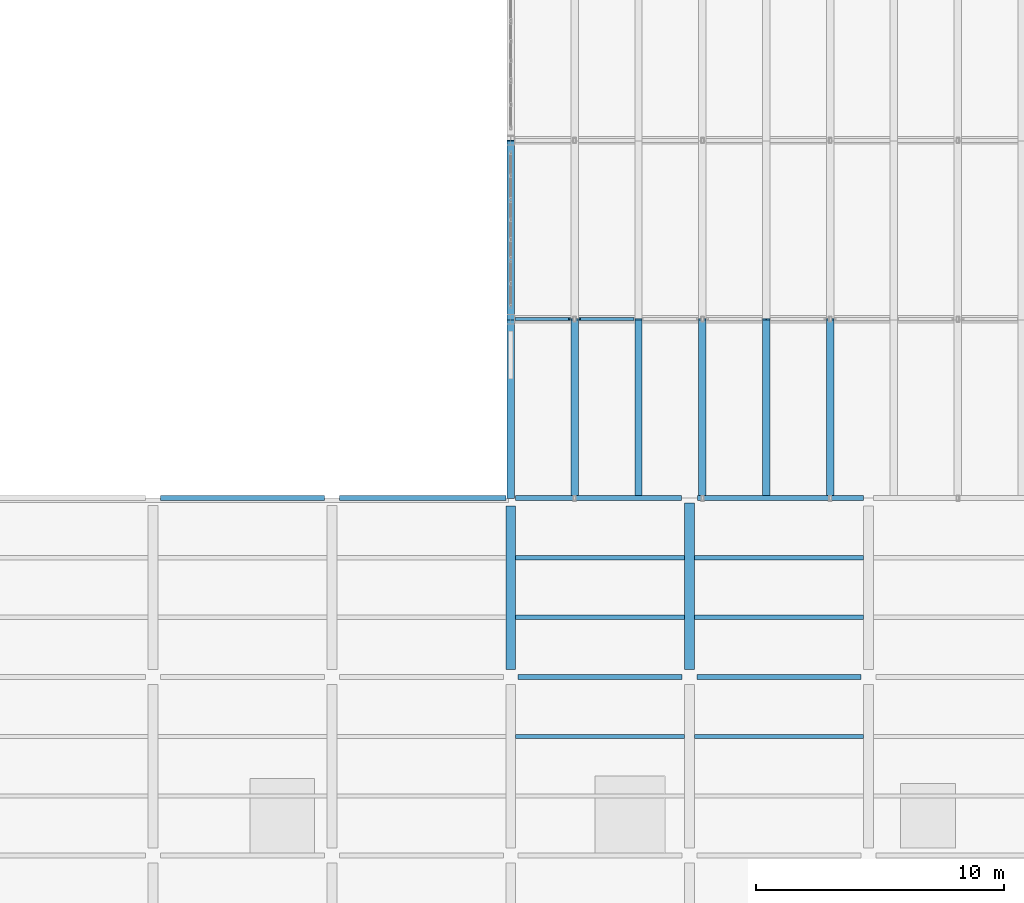
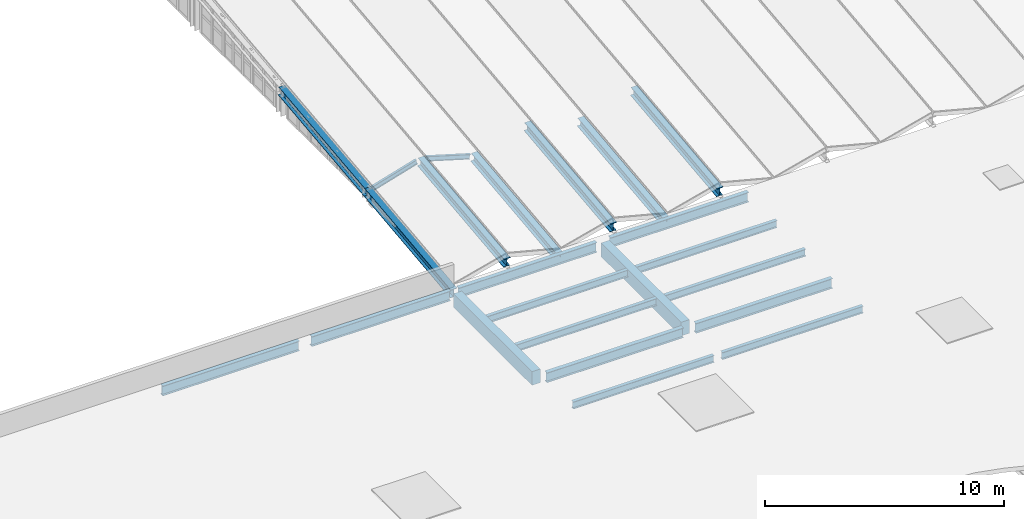
# One storey, part 7 of 48: 21 beams, 2 members.
"""IFC4 building model written with IfcOpenShell, lengths in metres."""

from ifc_helpers import new_model, si_unit, direction, frame, origin, origin_2d, place, context, subcontext, project, spatial, rectangle, i_section, extrude, material, material_profile, profile_set, type_object, element, save


model = new_model("IFC4")

# Units and contexts
model_context = context("Model", 3, precision=1e-05, world=origin(), true_north=direction((0.0, 1.0)))
body_context = subcontext(model_context, "Body", "Model", "MODEL_VIEW")
ifc_project = project(units=[si_unit("LENGTHUNIT", "METRE"), si_unit("AREAUNIT", "SQUARE_METRE"), si_unit("VOLUMEUNIT", "CUBIC_METRE"), si_unit("PLANEANGLEUNIT", "RADIAN"), si_unit("MASSUNIT", "GRAM", prefix="KILO"), si_unit("THERMODYNAMICTEMPERATUREUNIT", "KELVIN"), si_unit("POWERUNIT", "WATT")], contexts=[model_context])

# Site, building, storey
site_placement = place(None, origin())
site = spatial("IfcSite", under=ifc_project, at=site_placement, CompositionType="ELEMENT")
building_placement = place(site_placement, origin())
building = spatial("IfcBuilding", under=site, at=building_placement, Name="Kaldorven Railside Theatre", CompositionType="ELEMENT")
storey_placement = place(building_placement, frame((0.0, 0.0, 18.89990234375)))
storey = spatial("IfcBuildingStorey", under=building, at=storey_placement, Name="L04", CompositionType="ELEMENT", Elevation=18.89990234375)

# Beams
ifc_material_1 = material(Name="Steel S355", Category="steel")
ifc_material_profile_1 = material_profile(ifc_material_1, i_section(OverallWidth=0.300048828125, OverallDepth=0.449951171875, WebThickness=0.013916015625, FlangeThickness=0.02587890625, at=origin_2d()), Name="HEB 450")
ifc_profile_set_1 = profile_set([ifc_material_profile_1], Name="Steel S355")
beam_type_1 = type_object("IfcBeamType", Name="BM-HEB450", PredefinedType="BEAM", material=ifc_profile_set_1)
for number, where, z_axis, x_axis, name in (
    (1, (87.199951171875, 40.800048828125, -0.45556640625), (0.0, 0.993575928723, 0.11316745938), (-1.0, 0.0, 0.0), "V1 Folded-Plate Valley Girder VB-006"),
    (2, (87.199951171875, 48.0, 0.364501953125), (0.0, 0.993579716392, 0.113134199846), (-1.0, 0.0, 0.0), "V1 Folded-Plate Valley Girder VB-007"),
    (3, (89.771484375, 40.800048828125, 0.20947265625), (0.0, 0.993579716392, 0.113134199846), (-1.0, 0.0, 0.0), "V1 Folded-Plate Ridge Girder RB-012"),
    (4, (92.343017578125, 40.800048828125, -0.45556640625), (0.0, 0.993575928723, 0.11316745938), (-1.0, 0.0, 0.0), "V1 Folded-Plate Valley Girder VB-018"),
    (5, (94.914306640625, 40.800048828125, 0.20947265625), (0.0, 0.993579716392, 0.113134199846), (-1.0, 0.0, 0.0), "V1 Folded-Plate Ridge Girder RB-024"),
    (6, (97.485595703125, 40.800048828125, -0.45556640625), (0.0, 0.993575928723, 0.11316745938), (-1.0, 0.0, 0.0), "V1 Folded-Plate Valley Girder VB-030"),
    (7, (100.05712890625, 40.800048828125, 0.20947265625), (0.0, 0.993579716392, 0.113134199846), (-1.0, 0.0, 0.0), "V1 Folded-Plate Ridge Girder RB-036"),
):
    element("IfcBeam", number, at=place(storey_placement, frame(where, z_axis=z_axis, x_axis=x_axis)), inside=storey, type_object=beam_type_1, Name=name, PredefinedType="BEAM", context=body_context, shape_type="SweptSolid", body=[
        extrude(i_section(OverallWidth=0.300048828125, OverallDepth=0.449951171875, WebThickness=0.013916015625, FlangeThickness=0.02587890625, at=origin_2d()), origin(), (0.0, 0.0, 1.0), 7.24658203125),
    ])
ifc_material_profile_2 = material_profile(ifc_material_1, i_section(OverallWidth=0.169921875, OverallDepth=0.360107421875, WebThickness=0.008056640625, FlangeThickness=0.0126953125, at=origin_2d()), Name="IPE 360")
ifc_profile_set_2 = profile_set([ifc_material_profile_2], Name="Steel S355")
beam_type_2 = type_object("IfcBeamType", Name="BM-IPE360", PredefinedType="JOIST", material=ifc_profile_set_2)
beam_1_placement = place(storey_placement, frame((87.39990234375, 31.199951171875, -0.39990234375), z_axis=(1.0, 0.0, 0.0), x_axis=(0.0, 1.0, 0.0)))
element("IfcBeam", 8, at=beam_1_placement, inside=storey, type_object=beam_type_2, Name="L04 Secondary Floor Joist JG-L04-087-0312", PredefinedType="JOIST", context=body_context, shape_type="SweptSolid", body=[
    extrude(i_section(OverallWidth=0.169921875, OverallDepth=0.360107421875, WebThickness=0.008056640625, FlangeThickness=0.0126953125, at=origin_2d()), origin(), (0.0, 0.0, 1.0), 6.800048828125),
])
beam_2_placement = place(storey_placement, frame((94.60009765625, 31.199951171875, -0.39990234375), z_axis=(1.0, 0.0, 0.0), x_axis=(0.0, 1.0, 0.0)))
element("IfcBeam", 9, at=beam_2_placement, inside=storey, type_object=beam_type_2, Name="L04 Secondary Floor Joist JG-L04-094-0312", PredefinedType="JOIST", context=body_context, shape_type="SweptSolid", body=[
    extrude(i_section(OverallWidth=0.169921875, OverallDepth=0.360107421875, WebThickness=0.008056640625, FlangeThickness=0.0126953125, at=origin_2d()), origin(), (0.0, 0.0, 1.0), 6.7998046875),
])
for number, where, z_axis, x_axis, name in (
    (10, (87.39990234375, 36.0, -0.39990234375), (1.0, 0.0, 0.0), (0.0, 1.0, 0.0), "L04 Secondary Floor Joist JG-L04-087-0360"),
    (11, (87.39990234375, 38.39990234375, -0.39990234375), (1.0, 0.0, 0.0), (0.0, 1.0, 0.0), "L04 Secondary Floor Joist JG-L04-087-0384"),
):
    element("IfcBeam", number, at=place(storey_placement, frame(where, z_axis=z_axis, x_axis=x_axis)), inside=storey, type_object=beam_type_2, Name=name, PredefinedType="JOIST", context=body_context, shape_type="SweptSolid", body=[
        extrude(i_section(OverallWidth=0.169921875, OverallDepth=0.360107421875, WebThickness=0.008056640625, FlangeThickness=0.0126953125, at=origin_2d()), origin(), (0.0, 0.0, 1.0), 6.800048828125),
    ])
for number, where, z_axis, x_axis, name in (
    (12, (94.60009765625, 36.0, -0.39990234375), (1.0, 0.0, 0.0), (0.0, 1.0, 0.0), "L04 Secondary Floor Joist JG-L04-094-0360"),
    (13, (94.60009765625, 38.39990234375, -0.39990234375), (1.0, 0.0, 0.0), (0.0, 1.0, 0.0), "L04 Secondary Floor Joist JG-L04-094-0384"),
):
    element("IfcBeam", number, at=place(storey_placement, frame(where, z_axis=z_axis, x_axis=x_axis)), inside=storey, type_object=beam_type_2, Name=name, PredefinedType="JOIST", context=body_context, shape_type="SweptSolid", body=[
        extrude(i_section(OverallWidth=0.169921875, OverallDepth=0.360107421875, WebThickness=0.008056640625, FlangeThickness=0.0126953125, at=origin_2d()), origin(), (0.0, 0.0, 1.0), 6.7998046875),
    ])
ifc_material_profile_3 = material_profile(ifc_material_1, i_section(OverallWidth=0.199951171875, OverallDepth=0.5, WebThickness=0.01025390625, FlangeThickness=0.01611328125, at=origin_2d()), Name="IPE 500")
ifc_profile_set_3 = profile_set([ifc_material_profile_3], Name="Steel S355")
beam_type_3 = type_object("IfcBeamType", Name="BM-IPE500", PredefinedType="BEAM", material=ifc_profile_set_3)
for number, where, z_axis, x_axis, name in (
    (14, (87.5, 33.60009765625, -0.469970703125), (1.0, 0.0, 0.0), (0.0, 1.0, 0.0), "L04 Girder BGX-L04-087-033"),
    (15, (94.699951171875, 33.60009765625, -0.469970703125), (1.0, 0.0, 0.0), (0.0, 1.0, 0.0), "L04 Girder BGX-L04-094-033"),
):
    element("IfcBeam", number, at=place(storey_placement, frame(where, z_axis=z_axis, x_axis=x_axis)), inside=storey, type_object=beam_type_3, Name=name, PredefinedType="BEAM", context=body_context, shape_type="SweptSolid", body=[
        extrude(i_section(OverallWidth=0.199951171875, OverallDepth=0.5, WebThickness=0.01025390625, FlangeThickness=0.01611328125, at=origin_2d()), origin(), (0.0, 0.0, 1.0), 6.60009765625),
    ])
beam_3_placement = place(storey_placement, frame((73.10009765625, 40.800048828125, -0.469970703125), z_axis=(1.0, 0.0, 0.0), x_axis=(0.0, 1.0, 0.0)))
element("IfcBeam", 16, at=beam_3_placement, inside=storey, type_object=beam_type_3, Name="L04 Girder BGX-L04-072-040", PredefinedType="BEAM", context=body_context, shape_type="SweptSolid", body=[
    extrude(i_section(OverallWidth=0.199951171875, OverallDepth=0.5, WebThickness=0.01025390625, FlangeThickness=0.01611328125, at=origin_2d()), origin(), (0.0, 0.0, 1.0), 6.599853515625),
])
beam_4_placement = place(storey_placement, frame((80.300048828125, 40.800048828125, -0.469970703125), z_axis=(1.0, 0.0, 0.0), x_axis=(0.0, 1.0, 0.0)))
element("IfcBeam", 17, at=beam_4_placement, inside=storey, type_object=beam_type_3, Name="L04 Girder BGX-L04-080-040", PredefinedType="BEAM", context=body_context, shape_type="SweptSolid", body=[
    extrude(i_section(OverallWidth=0.199951171875, OverallDepth=0.5, WebThickness=0.01025390625, FlangeThickness=0.01611328125, at=origin_2d()), origin(), (0.0, 0.0, 1.0), 6.699951171875),
])
beam_5_placement = place(storey_placement, frame((87.39990234375, 40.800048828125, -0.469970703125), z_axis=(1.0, 0.0, 0.0), x_axis=(0.0, 1.0, 0.0)))
element("IfcBeam", 18, at=beam_5_placement, inside=storey, type_object=beam_type_3, Name="L04 Girder BGX-L04-087-040", PredefinedType="BEAM", context=body_context, shape_type="SweptSolid", body=[
    extrude(i_section(OverallWidth=0.199951171875, OverallDepth=0.5, WebThickness=0.01025390625, FlangeThickness=0.01611328125, at=origin_2d()), origin(), (0.0, 0.0, 1.0), 6.675048828125),
])
beam_6_placement = place(storey_placement, frame((94.72509765625, 40.800048828125, -0.469970703125), z_axis=(1.0, 0.0, 0.0), x_axis=(0.0, 1.0, 0.0)))
element("IfcBeam", 19, at=beam_6_placement, inside=storey, type_object=beam_type_3, Name="L04 Girder BGX-L04-094-040", PredefinedType="BEAM", context=body_context, shape_type="SweptSolid", body=[
    extrude(i_section(OverallWidth=0.199951171875, OverallDepth=0.5, WebThickness=0.01025390625, FlangeThickness=0.01611328125, at=origin_2d()), origin(), (0.0, 0.0, 1.0), 6.6748046875),
])
ifc_material_2 = material(Name="Concrete C40/50", Category="concrete")
ifc_material_profile_4 = material_profile(ifc_material_2, rectangle(XDim=0.39990234375, YDim=0.699951171875, at=origin_2d()), Name="RC 400x700")
ifc_profile_set_4 = profile_set([ifc_material_profile_4], Name="Concrete C40/50")
beam_type_4 = type_object("IfcBeamType", Name="BM-RC400x700", PredefinedType="BEAM", material=ifc_profile_set_4)
beam_7_placement = place(storey_placement, frame((87.199951171875, 33.89990234375, -0.56982421875), z_axis=(0.0, 1.0, 0.0), x_axis=(-1.0, 0.0, 0.0)))
element("IfcBeam", 20, at=beam_7_placement, inside=storey, type_object=beam_type_4, Name="L04 Girder BGY-L04-087-033-72", PredefinedType="BEAM", context=body_context, shape_type="SweptSolid", body=[
    extrude(rectangle(XDim=0.39990234375, YDim=0.699951171875, at=origin_2d()), origin(), (0.0, 0.0, 1.0), 6.5751953125),
])
beam_8_placement = place(storey_placement, frame((94.39990234375, 33.89990234375, -0.56982421875), z_axis=(0.0, 1.0, 0.0), x_axis=(-1.0, 0.0, 0.0)))
element("IfcBeam", 21, at=beam_8_placement, inside=storey, type_object=beam_type_4, Name="L04 Girder BGY-L04-094-033-72", PredefinedType="BEAM", context=body_context, shape_type="SweptSolid", body=[
    extrude(rectangle(XDim=0.39990234375, YDim=0.699951171875, at=origin_2d()), origin(), (0.0, 0.0, 1.0), 6.7001953125),
])

# Members
ifc_material_profile_5 = material_profile(ifc_material_1, i_section(OverallWidth=0.1201171875, OverallDepth=0.239990234375, WebThickness=0.006103515625, FlangeThickness=0.009765625, at=origin_2d()), Name="IPE 240")
ifc_profile_set_5 = profile_set([ifc_material_profile_5], Name="Steel S355")
member_type = type_object("IfcMemberType", Name="MEM-IPE240", PredefinedType="PURLIN", material=ifc_profile_set_5)
for number, where, z_axis, x_axis, name in (
    (22, (87.407958984375, 48.0, 0.438720703125), (0.95859084384, 0.0, 0.284786927556), (0.0, 1.0, 0.0), "V1 Folded-Roof Transverse Purlin PRL-001"),
    (23, (89.9794921875, 48.0, 1.0791015625), (0.95859084384, 0.0, -0.284786927556), (0.0, 1.0, 0.0), "V1 Folded-Roof Transverse Purlin PRL-003"),
):
    element("IfcMember", number, at=place(storey_placement, frame(where, z_axis=z_axis, x_axis=x_axis)), inside=storey, type_object=member_type, Name=name, PredefinedType="PURLIN", context=body_context, shape_type="SweptSolid", body=[
        extrude(i_section(OverallWidth=0.1201171875, OverallDepth=0.239990234375, WebThickness=0.006103515625, FlangeThickness=0.009765625, at=origin_2d()), origin(), (0.0, 0.0, 1.0), 2.24853515625),
    ])

save(model, "model.ifc")
